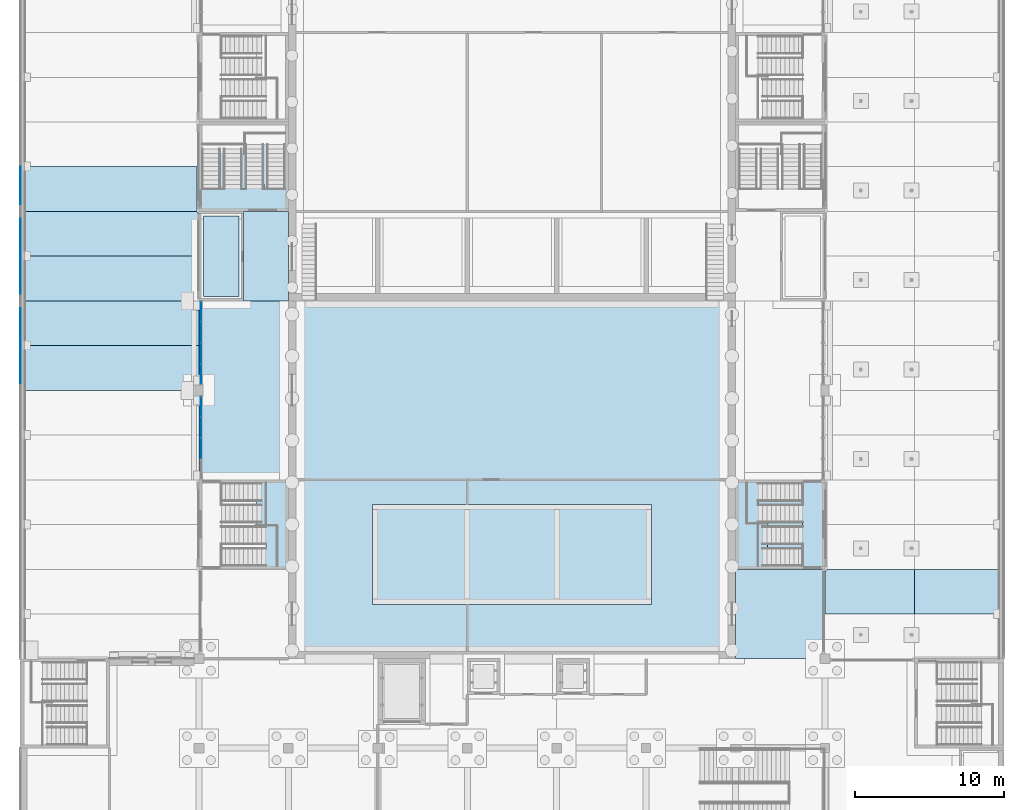
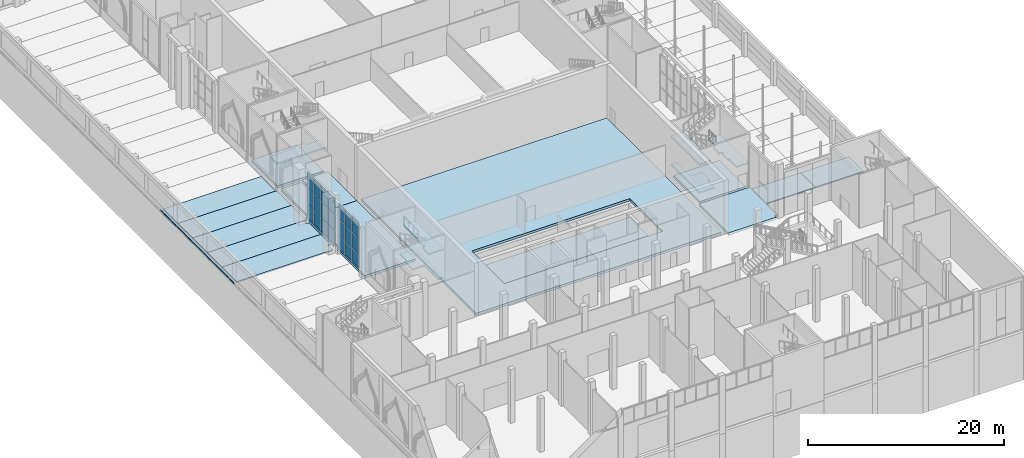
# One storey, part 30 of 95: 26 slabs, 21 plates, 5 elements without a shape of their own.
"""IFC4 building model written with IfcOpenShell, lengths in metres."""

from ifc_helpers import new_model, si_unit, direction, frame, origin, origin_2d, place, context, subcontext, project, spatial, polyline, rectangle, outline, extrude, material, layer, layer_set, type_object, element, aggregate, save


model = new_model("IFC4")

# Units and contexts
model_context = context("Model", 3, precision=1e-05, world=origin(), true_north=direction((0.0, 1.0)))
body_context = subcontext(model_context, "Body", "Model", "MODEL_VIEW")
ifc_project = project(units=[si_unit("LENGTHUNIT", "METRE"), si_unit("AREAUNIT", "SQUARE_METRE"), si_unit("VOLUMEUNIT", "CUBIC_METRE"), si_unit("PLANEANGLEUNIT", "RADIAN"), si_unit("MASSUNIT", "GRAM", prefix="KILO")], contexts=[model_context])

# Site, building, storey
site_placement = place(None, origin())
site = spatial("IfcSite", under=ifc_project, at=site_placement, CompositionType="ELEMENT")
building_placement = place(site_placement, origin())
building = spatial("IfcBuilding", under=site, at=building_placement, Name="Saffron Lane Theatres", CompositionType="ELEMENT")
storey_placement = place(building_placement, origin())
storey = spatial("IfcBuildingStorey", under=building, at=storey_placement, Name="L00", CompositionType="ELEMENT", Elevation=0.0)

# Curtain wall, plates
ifc_material_1 = material(Name="Aluminium", Category="aluminium")
curtain_wall_type = type_object("IfcCurtainWallType", Name="EX-CURTAIN WALL 5620x6050x200", PredefinedType="NOTDEFINED", material=ifc_material_1)
curtain_wall_1_placement = place(storey_placement, origin())
curtain_wall_1 = element("IfcCurtainWall", 1, at=curtain_wall_1_placement, inside=storey, type_object=curtain_wall_type, Name="Curtain wall L00 01", PredefinedType="NOTDEFINED")
ifc_material_2 = material(Name="Glass", Category="glass")
ifc_layer_1 = layer(ifc_material_2, 0.031982421875)
ifc_layer_set_1 = layer_set([ifc_layer_1], Name="Glass")
plate_type = type_object("IfcPlateType", Name="EX-CW PANEL GLAZING 32", PredefinedType="CURTAIN_PANEL", material=ifc_layer_set_1)
plate_1_placement = place(storey_placement, frame((12.14990234375, 44.109375, 0.06005859375), z_axis=(0.0, 0.0, 1.0), x_axis=(0.0, 1.0, 0.0)))
plate_1 = element("IfcPlate", 2, at=plate_1_placement, type_object=plate_type, Name="CW-00-01 panel 2.1", PredefinedType="CURTAIN_PANEL", context=body_context, shape_type="SweptSolid", body=[
    extrude(rectangle(XDim=1.34619140625, YDim=0.031982421875, at=origin_2d()), origin(), (0.0, 0.0, 1.0), 1.926513671875),
])
plate_2_placement = place(storey_placement, frame((12.14990234375, 44.109375, 2.04638671875), z_axis=(0.0, 0.0, 1.0), x_axis=(0.0, 1.0, 0.0)))
plate_2 = element("IfcPlate", 3, at=plate_2_placement, type_object=plate_type, Name="CW-00-01 panel 2.2", PredefinedType="CURTAIN_PANEL", context=body_context, shape_type="SweptSolid", body=[
    extrude(rectangle(XDim=1.34619140625, YDim=0.031982421875, at=origin_2d()), origin(), (0.0, 0.0, 1.0), 1.956787109375),
])
plate_3_placement = place(storey_placement, frame((12.14990234375, 44.109375, 4.0634765625), z_axis=(0.0, 0.0, 1.0), x_axis=(0.0, 1.0, 0.0)))
plate_3 = element("IfcPlate", 4, at=plate_3_placement, type_object=plate_type, Name="CW-00-01 panel 2.3", PredefinedType="CURTAIN_PANEL", context=body_context, shape_type="SweptSolid", body=[
    extrude(rectangle(XDim=1.34619140625, YDim=0.031982421875, at=origin_2d()), origin(), (0.0, 0.0, 1.0), 1.926513671875),
])
plate_4_placement = place(storey_placement, frame((12.14990234375, 45.515625, 0.06005859375), z_axis=(0.0, 0.0, 1.0), x_axis=(0.0, 1.0, 0.0)))
plate_4 = element("IfcPlate", 5, at=plate_4_placement, type_object=plate_type, Name="CW-00-01 panel 3.1", PredefinedType="CURTAIN_PANEL", context=body_context, shape_type="SweptSolid", body=[
    extrude(rectangle(XDim=1.34619140625, YDim=0.031982421875, at=origin_2d()), origin(), (0.0, 0.0, 1.0), 1.926513671875),
])
plate_5_placement = place(storey_placement, frame((12.14990234375, 45.515625, 2.04638671875), z_axis=(0.0, 0.0, 1.0), x_axis=(0.0, 1.0, 0.0)))
plate_5 = element("IfcPlate", 6, at=plate_5_placement, type_object=plate_type, Name="CW-00-01 panel 3.2", PredefinedType="CURTAIN_PANEL", context=body_context, shape_type="SweptSolid", body=[
    extrude(rectangle(XDim=1.34619140625, YDim=0.031982421875, at=origin_2d()), origin(), (0.0, 0.0, 1.0), 1.956787109375),
])
plate_6_placement = place(storey_placement, frame((12.14990234375, 45.515625, 4.0634765625), z_axis=(0.0, 0.0, 1.0), x_axis=(0.0, 1.0, 0.0)))
plate_6 = element("IfcPlate", 7, at=plate_6_placement, type_object=plate_type, Name="CW-00-01 panel 3.3", PredefinedType="CURTAIN_PANEL", context=body_context, shape_type="SweptSolid", body=[
    extrude(rectangle(XDim=1.34619140625, YDim=0.031982421875, at=origin_2d()), origin(), (0.0, 0.0, 1.0), 1.926513671875),
])
plate_7_placement = place(storey_placement, frame((12.14990234375, 46.906982421875, 0.06005859375), z_axis=(0.0, 0.0, 1.0), x_axis=(0.0, 1.0, 0.0)))
plate_7 = element("IfcPlate", 8, at=plate_7_placement, type_object=plate_type, Name="CW-00-01 panel 4.1", PredefinedType="CURTAIN_PANEL", context=body_context, shape_type="SweptSolid", body=[
    extrude(rectangle(XDim=1.316162109375, YDim=0.031982421875, at=origin_2d()), origin(), (0.0, 0.0, 1.0), 1.926513671875),
])
plate_8_placement = place(storey_placement, frame((12.14990234375, 46.906982421875, 2.04638671875), z_axis=(0.0, 0.0, 1.0), x_axis=(0.0, 1.0, 0.0)))
plate_8 = element("IfcPlate", 9, at=plate_8_placement, type_object=plate_type, Name="CW-00-01 panel 4.2", PredefinedType="CURTAIN_PANEL", context=body_context, shape_type="SweptSolid", body=[
    extrude(rectangle(XDim=1.316162109375, YDim=0.031982421875, at=origin_2d()), origin(), (0.0, 0.0, 1.0), 1.956787109375),
])
plate_9_placement = place(storey_placement, frame((12.14990234375, 46.906982421875, 4.0634765625), z_axis=(0.0, 0.0, 1.0), x_axis=(0.0, 1.0, 0.0)))
plate_9 = element("IfcPlate", 10, at=plate_9_placement, type_object=plate_type, Name="CW-00-01 panel 4.3", PredefinedType="CURTAIN_PANEL", context=body_context, shape_type="SweptSolid", body=[
    extrude(rectangle(XDim=1.316162109375, YDim=0.031982421875, at=origin_2d()), origin(), (0.0, 0.0, 1.0), 1.926513671875),
])
aggregate(curtain_wall_1, [plate_1, plate_2, plate_3, plate_4, plate_5, plate_6, plate_7, plate_8, plate_9])

curtain_wall_2_placement = place(storey_placement, origin())
curtain_wall_2 = element("IfcCurtainWall", 11, at=curtain_wall_2_placement, inside=storey, type_object=curtain_wall_type, Name="Curtain wall L00 02", PredefinedType="NOTDEFINED")
plate_10_placement = place(storey_placement, frame((12.14990234375, 49.093017578125, 0.06005859375), z_axis=(0.0, 0.0, 1.0), x_axis=(0.0, 1.0, 0.0)))
plate_10 = element("IfcPlate", 12, at=plate_10_placement, type_object=plate_type, Name="CW-00-02 panel 1.1", PredefinedType="CURTAIN_PANEL", context=body_context, shape_type="SweptSolid", body=[
    extrude(rectangle(XDim=1.316162109375, YDim=0.031982421875, at=origin_2d()), origin(), (0.0, 0.0, 1.0), 1.926513671875),
])
plate_11_placement = place(storey_placement, frame((12.14990234375, 49.093017578125, 2.04638671875), z_axis=(0.0, 0.0, 1.0), x_axis=(0.0, 1.0, 0.0)))
plate_11 = element("IfcPlate", 13, at=plate_11_placement, type_object=plate_type, Name="CW-00-02 panel 1.2", PredefinedType="CURTAIN_PANEL", context=body_context, shape_type="SweptSolid", body=[
    extrude(rectangle(XDim=1.316162109375, YDim=0.031982421875, at=origin_2d()), origin(), (0.0, 0.0, 1.0), 1.956787109375),
])
plate_12_placement = place(storey_placement, frame((12.14990234375, 49.093017578125, 4.0634765625), z_axis=(0.0, 0.0, 1.0), x_axis=(0.0, 1.0, 0.0)))
plate_12 = element("IfcPlate", 14, at=plate_12_placement, type_object=plate_type, Name="CW-00-02 panel 1.3", PredefinedType="CURTAIN_PANEL", context=body_context, shape_type="SweptSolid", body=[
    extrude(rectangle(XDim=1.316162109375, YDim=0.031982421875, at=origin_2d()), origin(), (0.0, 0.0, 1.0), 1.926513671875),
])
plate_13_placement = place(storey_placement, frame((12.14990234375, 50.484375, 0.06005859375), z_axis=(0.0, 0.0, 1.0), x_axis=(0.0, 1.0, 0.0)))
plate_13 = element("IfcPlate", 15, at=plate_13_placement, type_object=plate_type, Name="CW-00-02 panel 2.1", PredefinedType="CURTAIN_PANEL", context=body_context, shape_type="SweptSolid", body=[
    extrude(rectangle(XDim=1.34619140625, YDim=0.031982421875, at=origin_2d()), origin(), (0.0, 0.0, 1.0), 1.926513671875),
])
plate_14_placement = place(storey_placement, frame((12.14990234375, 50.484375, 2.04638671875), z_axis=(0.0, 0.0, 1.0), x_axis=(0.0, 1.0, 0.0)))
plate_14 = element("IfcPlate", 16, at=plate_14_placement, type_object=plate_type, Name="CW-00-02 panel 2.2", PredefinedType="CURTAIN_PANEL", context=body_context, shape_type="SweptSolid", body=[
    extrude(rectangle(XDim=1.34619140625, YDim=0.031982421875, at=origin_2d()), origin(), (0.0, 0.0, 1.0), 1.956787109375),
])
plate_15_placement = place(storey_placement, frame((12.14990234375, 50.484375, 4.0634765625), z_axis=(0.0, 0.0, 1.0), x_axis=(0.0, 1.0, 0.0)))
plate_15 = element("IfcPlate", 17, at=plate_15_placement, type_object=plate_type, Name="CW-00-02 panel 2.3", PredefinedType="CURTAIN_PANEL", context=body_context, shape_type="SweptSolid", body=[
    extrude(rectangle(XDim=1.34619140625, YDim=0.031982421875, at=origin_2d()), origin(), (0.0, 0.0, 1.0), 1.926513671875),
])
plate_16_placement = place(storey_placement, frame((12.14990234375, 51.890625, 0.06005859375), z_axis=(0.0, 0.0, 1.0), x_axis=(0.0, 1.0, 0.0)))
plate_16 = element("IfcPlate", 18, at=plate_16_placement, type_object=plate_type, Name="CW-00-02 panel 3.1", PredefinedType="CURTAIN_PANEL", context=body_context, shape_type="SweptSolid", body=[
    extrude(rectangle(XDim=1.34619140625, YDim=0.031982421875, at=origin_2d()), origin(), (0.0, 0.0, 1.0), 1.926513671875),
])
plate_17_placement = place(storey_placement, frame((12.14990234375, 51.890625, 2.04638671875), z_axis=(0.0, 0.0, 1.0), x_axis=(0.0, 1.0, 0.0)))
plate_17 = element("IfcPlate", 19, at=plate_17_placement, type_object=plate_type, Name="CW-00-02 panel 3.2", PredefinedType="CURTAIN_PANEL", context=body_context, shape_type="SweptSolid", body=[
    extrude(rectangle(XDim=1.34619140625, YDim=0.031982421875, at=origin_2d()), origin(), (0.0, 0.0, 1.0), 1.956787109375),
])
plate_18_placement = place(storey_placement, frame((12.14990234375, 51.890625, 4.0634765625), z_axis=(0.0, 0.0, 1.0), x_axis=(0.0, 1.0, 0.0)))
plate_18 = element("IfcPlate", 20, at=plate_18_placement, type_object=plate_type, Name="CW-00-02 panel 3.3", PredefinedType="CURTAIN_PANEL", context=body_context, shape_type="SweptSolid", body=[
    extrude(rectangle(XDim=1.34619140625, YDim=0.031982421875, at=origin_2d()), origin(), (0.0, 0.0, 1.0), 1.926513671875),
])
plate_19_placement = place(storey_placement, frame((12.14990234375, 53.281982421875, 0.06005859375), z_axis=(0.0, 0.0, 1.0), x_axis=(0.0, 1.0, 0.0)))
plate_19 = element("IfcPlate", 21, at=plate_19_placement, type_object=plate_type, Name="CW-00-02 panel 4.1", PredefinedType="CURTAIN_PANEL", context=body_context, shape_type="SweptSolid", body=[
    extrude(rectangle(XDim=1.316162109375, YDim=0.031982421875, at=origin_2d()), origin(), (0.0, 0.0, 1.0), 1.926513671875),
])
plate_20_placement = place(storey_placement, frame((12.14990234375, 53.281982421875, 2.04638671875), z_axis=(0.0, 0.0, 1.0), x_axis=(0.0, 1.0, 0.0)))
plate_20 = element("IfcPlate", 22, at=plate_20_placement, type_object=plate_type, Name="CW-00-02 panel 4.2", PredefinedType="CURTAIN_PANEL", context=body_context, shape_type="SweptSolid", body=[
    extrude(rectangle(XDim=1.316162109375, YDim=0.031982421875, at=origin_2d()), origin(), (0.0, 0.0, 1.0), 1.956787109375),
])
plate_21_placement = place(storey_placement, frame((12.14990234375, 53.281982421875, 4.0634765625), z_axis=(0.0, 0.0, 1.0), x_axis=(0.0, 1.0, 0.0)))
plate_21 = element("IfcPlate", 23, at=plate_21_placement, type_object=plate_type, Name="CW-00-02 panel 4.3", PredefinedType="CURTAIN_PANEL", context=body_context, shape_type="SweptSolid", body=[
    extrude(rectangle(XDim=1.316162109375, YDim=0.031982421875, at=origin_2d()), origin(), (0.0, 0.0, 1.0), 1.926513671875),
])
aggregate(curtain_wall_2, [plate_10, plate_11, plate_12, plate_13, plate_14, plate_15, plate_16, plate_17, plate_18, plate_19, plate_20, plate_21])

# Slabs
ifc_material_3 = material(Name="Masonry bluestone paving", Category="masonry")
ifc_layer_2 = layer(ifc_material_3, 0.1201171875)
ifc_layer_set_2 = layer_set([ifc_layer_2], Name="Masonry bluestone paving")
slab_type_1 = type_object("IfcSlabType", Name="EX-PAVING BLUESTONE 120", PredefinedType="USERDEFINED", material=ifc_layer_set_2)
slab_1_placement = place(storey_placement, frame((0.0, 0.0, -0.1201171875)))
element("IfcSlab", 24, at=slab_1_placement, inside=storey, type_object=slab_type_1, Name="Saffron Lane passage paving 2", ObjectType="PAVING", PredefinedType="USERDEFINED", context=body_context, shape_type="SweptSolid", body=[
    extrude(outline(polyline([(60.0, 33.0), (60.0, 36.0), (54.1201171875, 36.0), (54.119384765625, 35.98828125), (54.11767578125, 35.9765625), (54.11474609375, 35.965087890625), (54.11083984375, 35.9541015625), (54.105712890625, 35.943359375), (54.099853515625, 35.933349609375), (54.0927734375, 35.923828125), (54.0849609375, 35.9150390625), (54.076171875, 35.9072265625), (54.066650390625, 35.900146484375), (54.056640625, 35.894287109375), (54.0458984375, 35.88916015625), (54.034912109375, 35.88525390625), (54.0234375, 35.88232421875), (54.01171875, 35.880615234375), (54.00390625, 35.880126953125), (54.00390625, 33.0), (60.0, 33.0)])), origin(), (0.0, 0.0, 1.0), 0.1201171875),
])
ifc_material_4 = material(Name="Masonry bluestone paving", Category="masonry")
ifc_layer_3 = layer(ifc_material_4, 0.14990234375)
ifc_layer_set_3 = layer_set([ifc_layer_3], Name="Masonry bluestone paving")
slab_type_2 = type_object("IfcSlabType", Name="EX-PAVING BLUESTONE 150", PredefinedType="USERDEFINED", material=ifc_layer_set_3)
slab_2_placement = place(storey_placement, frame((0.0, 0.0, -0.14990234375)))
element("IfcSlab", 25, at=slab_2_placement, inside=storey, type_object=slab_type_2, Name="West court paving 15", ObjectType="PAVING", PredefinedType="USERDEFINED", context=body_context, shape_type="SweptSolid", body=[
    extrude(outline(polyline([(0.055908203125, 51.0), (0.055908203125, 54.0), (0.0, 54.0), (0.0, 51.0), (0.055908203125, 51.0)])), origin(), (0.0, 0.0, 1.0), 0.14990234375),
])
slab_3_placement = place(storey_placement, frame((0.0, 0.0, -0.14990234375)))
element("IfcSlab", 26, at=slab_3_placement, inside=storey, type_object=slab_type_2, Name="West court paving 16", ObjectType="PAVING", PredefinedType="USERDEFINED", context=body_context, shape_type="SweptSolid", body=[
    extrude(outline(polyline([(11.64599609375, 53.39990234375), (11.64599609375, 54.0), (0.31396484375, 54.0), (0.31396484375, 51.0), (11.99609375, 51.0), (11.99609375, 53.39599609375), (11.64990234375, 53.39599609375), (11.649658203125, 53.39599609375), (11.649169921875, 53.39599609375), (11.64892578125, 53.396240234375), (11.6484375, 53.396240234375), (11.648193359375, 53.396484375), (11.647705078125, 53.396728515625), (11.6474609375, 53.39697265625), (11.647216796875, 53.397216796875), (11.64697265625, 53.3974609375), (11.646728515625, 53.397705078125), (11.646484375, 53.398193359375), (11.646240234375, 53.3984375), (11.646240234375, 53.39892578125), (11.64599609375, 53.399169921875), (11.64599609375, 53.399658203125), (11.64599609375, 53.39990234375)])), origin(), (0.0, 0.0, 1.0), 0.14990234375),
])
slab_4_placement = place(storey_placement, frame((0.0, 0.0, -0.14990234375)))
element("IfcSlab", 27, at=slab_4_placement, inside=storey, type_object=slab_type_2, Name="West court paving 19", ObjectType="PAVING", PredefinedType="USERDEFINED", context=body_context, shape_type="SweptSolid", body=[
    extrude(outline(polyline([(0.055908203125, 57.0), (0.055908203125, 60.0), (0.0, 60.0), (0.0, 57.0), (0.055908203125, 57.0)])), origin(), (0.0, 0.0, 1.0), 0.14990234375),
])
slab_5_placement = place(storey_placement, frame((0.0, 0.0, -0.14990234375)))
element("IfcSlab", 28, at=slab_5_placement, inside=storey, type_object=slab_type_2, Name="West court paving 20", ObjectType="PAVING", PredefinedType="USERDEFINED", context=body_context, shape_type="SweptSolid", body=[
    extrude(outline(polyline([(11.880615234375, 59.98828125), (11.8798828125, 60.0), (0.31396484375, 60.0), (0.31396484375, 57.0), (11.99609375, 57.0), (11.99609375, 59.85009765625), (11.99609375, 59.85009765625), (11.99609375, 59.880126953125), (11.98828125, 59.880615234375), (11.9765625, 59.88232421875), (11.965087890625, 59.88525390625), (11.9541015625, 59.88916015625), (11.943359375, 59.894287109375), (11.933349609375, 59.900146484375), (11.923828125, 59.9072265625), (11.9150390625, 59.9150390625), (11.9072265625, 59.923828125), (11.900146484375, 59.933349609375), (11.894287109375, 59.943359375), (11.88916015625, 59.9541015625), (11.88525390625, 59.965087890625), (11.88232421875, 59.9765625), (11.880615234375, 59.98828125)])), origin(), (0.0, 0.0, 1.0), 0.14990234375),
])
slab_6_placement = place(storey_placement, frame((0.0, 0.0, -0.14990234375)))
element("IfcSlab", 29, at=slab_6_placement, inside=storey, type_object=slab_type_2, Name="East court paving 3", ObjectType="PAVING", PredefinedType="USERDEFINED", context=body_context, shape_type="SweptSolid", body=[
    extrude(outline(polyline([(60.0, 36.0), (60.0, 33.0), (65.68603515625, 33.0), (65.68603515625, 36.0), (60.0, 36.0)])), origin(), (0.0, 0.0, 1.0), 0.14990234375),
])
ifc_material_5 = material(Name="Masonry sandstone paving", Category="masonry")
ifc_layer_4 = layer(ifc_material_5, 0.14990234375)
ifc_layer_set_4 = layer_set([ifc_layer_4], Name="Masonry sandstone paving")
slab_type_3 = type_object("IfcSlabType", Name="EX-PAVING SANDSTONE 150", PredefinedType="USERDEFINED", material=ifc_layer_set_4)
slab_7_placement = place(storey_placement, frame((0.0, 0.0, -0.14990234375)))
element("IfcSlab", 30, at=slab_7_placement, inside=storey, type_object=slab_type_3, Name="West court paving 13", ObjectType="PAVING", PredefinedType="USERDEFINED", context=body_context, shape_type="SweptSolid", body=[
    extrude(outline(polyline([(0.055908203125, 48.0), (0.055908203125, 51.0), (0.0, 51.0), (0.0, 48.0), (0.055908203125, 48.0)])), origin(), (0.0, 0.0, 1.0), 0.14990234375),
])
slab_8_placement = place(storey_placement, frame((0.0, 0.0, -0.14990234375)))
element("IfcSlab", 31, at=slab_8_placement, inside=storey, type_object=slab_type_3, Name="West court paving 14", ObjectType="PAVING", PredefinedType="USERDEFINED", context=body_context, shape_type="SweptSolid", body=[
    extrude(outline(polyline([(11.99609375, 48.97900390625), (11.99609375, 51.0), (0.31396484375, 51.0), (0.31396484375, 48.0), (11.720947265625, 48.0), (11.720947265625, 48.37109375), (11.64990234375, 48.37109375), (11.649658203125, 48.37109375), (11.649169921875, 48.37109375), (11.64892578125, 48.37109375), (11.6484375, 48.371337890625), (11.648193359375, 48.37158203125), (11.647705078125, 48.37158203125), (11.6474609375, 48.371826171875), (11.647216796875, 48.3720703125), (11.64697265625, 48.37255859375), (11.646728515625, 48.372802734375), (11.646484375, 48.373046875), (11.646240234375, 48.37353515625), (11.646240234375, 48.373779296875), (11.64599609375, 48.374267578125), (11.64599609375, 48.37451171875), (11.64599609375, 48.375), (11.64599609375, 48.97509765625), (11.64599609375, 48.975341796875), (11.64599609375, 48.975830078125), (11.646240234375, 48.97607421875), (11.646240234375, 48.9765625), (11.646484375, 48.976806640625), (11.646728515625, 48.977294921875), (11.64697265625, 48.9775390625), (11.647216796875, 48.977783203125), (11.6474609375, 48.97802734375), (11.647705078125, 48.978271484375), (11.648193359375, 48.978515625), (11.6484375, 48.978759765625), (11.64892578125, 48.978759765625), (11.649169921875, 48.97900390625), (11.649658203125, 48.97900390625), (11.64990234375, 48.97900390625), (11.99609375, 48.97900390625)])), origin(), (0.0, 0.0, 1.0), 0.14990234375),
])
slab_9_placement = place(storey_placement, frame((0.0, 0.0, -0.14990234375)))
element("IfcSlab", 32, at=slab_9_placement, inside=storey, type_object=slab_type_3, Name="West court paving 17", ObjectType="PAVING", PredefinedType="USERDEFINED", context=body_context, shape_type="SweptSolid", body=[
    extrude(outline(polyline([(0.055908203125, 54.0), (0.055908203125, 57.0), (0.0, 57.0), (0.0, 54.0), (0.055908203125, 54.0)])), origin(), (0.0, 0.0, 1.0), 0.14990234375),
])
slab_10_placement = place(storey_placement, frame((0.0, 0.0, -0.14990234375)))
element("IfcSlab", 33, at=slab_10_placement, inside=storey, type_object=slab_type_3, Name="West court paving 18", ObjectType="PAVING", PredefinedType="USERDEFINED", context=body_context, shape_type="SweptSolid", body=[
    extrude(outline(polyline([(11.99609375, 54.14990234375), (11.99609375, 57.0), (0.31396484375, 57.0), (0.31396484375, 54.0), (11.64599609375, 54.0), (11.64599609375, 54.00048828125), (11.64599609375, 54.000732421875), (11.646240234375, 54.001220703125), (11.646240234375, 54.00146484375), (11.646484375, 54.001953125), (11.646728515625, 54.002197265625), (11.64697265625, 54.00244140625), (11.647216796875, 54.0029296875), (11.6474609375, 54.003173828125), (11.647705078125, 54.00341796875), (11.648193359375, 54.00341796875), (11.6484375, 54.003662109375), (11.64892578125, 54.00390625), (11.649169921875, 54.00390625), (11.649658203125, 54.00390625), (11.64990234375, 54.00390625), (11.99609375, 54.00390625), (11.99609375, 54.14990234375), (11.99609375, 54.14990234375)])), origin(), (0.0, 0.0, 1.0), 0.14990234375),
])
slab_11_placement = place(storey_placement, frame((0.0, 0.0, -0.14990234375)))
element("IfcSlab", 34, at=slab_11_placement, inside=storey, type_object=slab_type_3, Name="West court paving 21", ObjectType="PAVING", PredefinedType="USERDEFINED", context=body_context, shape_type="SweptSolid", body=[
    extrude(outline(polyline([(0.055908203125, 60.0), (0.055908203125, 63.0), (0.0, 63.0), (0.0, 60.0), (0.055908203125, 60.0)])), origin(), (0.0, 0.0, 1.0), 0.14990234375),
])
slab_12_placement = place(storey_placement, frame((0.0, 0.0, -0.14990234375)))
element("IfcSlab", 35, at=slab_12_placement, inside=storey, type_object=slab_type_3, Name="West court paving 22", ObjectType="PAVING", PredefinedType="USERDEFINED", context=body_context, shape_type="SweptSolid", body=[
    extrude(outline(polyline([(11.8798828125, 60.0), (11.8798828125, 63.0), (0.31396484375, 63.0), (0.31396484375, 60.0), (11.8798828125, 60.0)])), origin(), (0.0, 0.0, 1.0), 0.14990234375),
])
ifc_material_6 = material(Name="Concrete N40 (40 MPa)", Category="concrete")
ifc_layer_5 = layer(ifc_material_6, 0.300048828125)
ifc_layer_set_5 = layer_set([ifc_layer_5], Name="Concrete N40 (40 MPa)")
slab_type_4 = type_object("IfcSlabType", Name="RC-SLAB BASE 300", PredefinedType="BASESLAB", material=ifc_layer_set_5)
slab_13_placement = place(storey_placement, origin())
element("IfcSlab", 36, at=slab_13_placement, inside=storey, type_object=slab_type_4, Name="slab-L00-AUD-1", PredefinedType="BASESLAB", context=body_context, shape_type="SweptSolid", body=[
    extrude(outline(polyline([(15.0, 60.0), (15.0, 54.0), (18.0, 54.0), (18.0, 54.5), (18.0, 60.0), (15.0, 60.0)])), origin(), (0.0, 0.0, 1.0), 0.300048828125),
])
slab_14_placement = place(storey_placement, origin())
element("IfcSlab", 37, at=slab_14_placement, inside=storey, type_object=slab_type_4, Name="slab-L00-STAGE-2", PredefinedType="BASESLAB", context=body_context, shape_type="SweptSolid", body=[
    extrude(outline(polyline([(53.673095703125, 30.326904296875), (54.0, 30.326904296875), (54.0, 36.0), (48.0, 36.0), (48.0, 30.0), (53.673095703125, 30.0), (53.673095703125, 30.326904296875)])), origin(), (0.0, 0.0, 1.0), 0.300048828125),
])
slab_15_placement = place(storey_placement, origin())
element("IfcSlab", 38, at=slab_15_placement, inside=storey, type_object=slab_type_4, Name="slab-L00-STAGE-3", PredefinedType="BASESLAB", context=body_context, shape_type="SweptSolid", body=[
    extrude(outline(polyline([(47.5, 30.5), (47.5, 54.0), (18.5, 54.0), (18.5, 30.5), (47.5, 30.5)]), holes=[polyline([(23.64990234375, 40.0), (23.64990234375, 40.35009765625), (23.64990234375, 40.35009765625), (42.35009765625, 40.35009765625), (42.35009765625, 40.35009765625), (42.35009765625, 40.0), (42.35009765625, 34.0), (42.35009765625, 33.64990234375), (42.35009765625, 33.64990234375), (23.64990234375, 33.64990234375), (23.64990234375, 33.64990234375), (23.64990234375, 34.0), (23.64990234375, 40.0)])]), origin(), (0.0, 0.0, 1.0), 0.300048828125),
])
slab_16_placement = place(storey_placement, origin())
element("IfcSlab", 39, at=slab_16_placement, inside=storey, type_object=slab_type_4, Name="slab-L00-STAGE-4", PredefinedType="BASESLAB", context=body_context, shape_type="SweptSolid", body=[
    extrude(outline(polyline([(18.0, 42.0), (18.0, 54.0), (15.0, 54.0), (12.0, 54.0), (12.0, 48.376953125), (12.277099609375, 48.376953125), (12.277099609375, 47.623046875), (12.0, 47.623046875), (12.0, 42.0), (18.0, 42.0)])), origin(), (0.0, 0.0, 1.0), 0.300048828125),
])
slab_17_placement = place(storey_placement, origin())
element("IfcSlab", 40, at=slab_17_placement, inside=storey, type_object=slab_type_4, Name="slab-L00-core-ST10", PredefinedType="BASESLAB", context=body_context, shape_type="SweptSolid", body=[
    extrude(outline(polyline([(12.300048828125, 60.300048828125), (17.699951171875, 60.300048828125), (17.699951171875, 65.699951171875), (12.300048828125, 65.699951171875), (12.300048828125, 60.300048828125)])), origin(), (0.0, 0.0, 1.0), 0.300048828125),
])
slab_18_placement = place(storey_placement, origin())
element("IfcSlab", 41, at=slab_18_placement, inside=storey, type_object=slab_type_4, Name="slab-L00-core-ST6", PredefinedType="BASESLAB", context=body_context, shape_type="SweptSolid", body=[
    extrude(outline(polyline([(48.300048828125, 36.300048828125), (53.699951171875, 36.300048828125), (53.699951171875, 41.699951171875), (48.300048828125, 41.699951171875), (48.300048828125, 36.300048828125)])), origin(), (0.0, 0.0, 1.0), 0.300048828125),
])
slab_19_placement = place(storey_placement, origin())
element("IfcSlab", 42, at=slab_19_placement, inside=storey, type_object=slab_type_4, Name="slab-L00-core-R3", PredefinedType="BASESLAB", context=body_context, shape_type="SweptSolid", body=[
    extrude(outline(polyline([(12.300048828125, 54.300048828125), (14.699951171875, 54.300048828125), (14.699951171875, 59.699951171875), (12.300048828125, 59.699951171875), (12.300048828125, 54.300048828125)])), origin(), (0.0, 0.0, 1.0), 0.300048828125),
])
ifc_material_7 = material(Name="Concrete N40 (40 MPa)", Category="concrete")
ifc_layer_6 = layer(ifc_material_7, 0.449951171875)
ifc_layer_set_6 = layer_set([ifc_layer_6], Name="Concrete N40 (40 MPa)")
slab_type_5 = type_object("IfcSlabType", Name="RC-SLAB STAGE LIFT PIT 450", PredefinedType="BASESLAB", material=ifc_layer_set_6)
slab_20_placement = place(storey_placement, frame((0.0, 0.0, -2.449951171875)))
element("IfcSlab", 43, at=slab_20_placement, inside=storey, type_object=slab_type_5, Name="slab-L00-stage-lift-pit", PredefinedType="BASESLAB", context=body_context, shape_type="SweptSolid", body=[
    extrude(outline(polyline([(23.64990234375, 33.64990234375), (42.35009765625, 33.64990234375), (42.35009765625, 40.35009765625), (23.64990234375, 40.35009765625), (23.64990234375, 33.64990234375)])), origin(), (0.0, 0.0, 1.0), 0.449951171875),
])

# Stair, slab
ifc_material_8 = material(Name="Concrete N40 (40 MPa)", Category="concrete")
stair_type = type_object("IfcStairType", Name="VC-STAIR EXIT", PredefinedType="TWO_STRAIGHT_RUN_STAIR", material=ifc_material_8)
stair_1_placement = place(storey_placement, origin())
stair_1 = element("IfcStair", 44, at=stair_1_placement, inside=storey, type_object=stair_type, Name="Auditorium West Front Stair L00 to L01", PredefinedType="TWO_STRAIGHT_RUN_STAIR")
ifc_material_9 = material(Name="Concrete N40 (40 MPa)", Category="concrete")
ifc_layer_7 = layer(ifc_material_9, 0.199951171875)
ifc_layer_set_7 = layer_set([ifc_layer_7], Name="Concrete N40 (40 MPa)")
slab_type_6 = type_object("IfcSlabType", Name="VC-LANDING 200", PredefinedType="LANDING", material=ifc_layer_set_7)
slab_21_placement = place(storey_placement, frame((0.0, 0.0, 3.13330078125)))
slab_21 = element("IfcSlab", 45, at=slab_21_placement, type_object=slab_type_6, Name="ST13 landing 2", PredefinedType="LANDING", context=body_context, shape_type="SweptSolid", body=[
    extrude(outline(polyline([(17.89990234375, 61.5), (17.89990234375, 60.10009765625), (12.10009765625, 60.10009765625), (12.10009765625, 61.5), (13.64990234375, 61.5), (13.64990234375, 61.60009765625), (14.89990234375, 61.60009765625), (14.89990234375, 61.5), (15.10009765625, 61.5), (15.10009765625, 61.85009765625), (16.35009765625, 61.85009765625), (16.35009765625, 61.5), (17.89990234375, 61.5)])), origin(), (0.0, 0.0, 1.0), 0.199951171875),
])
aggregate(stair_1, [slab_21])

# Stair, slabs
stair_2_placement = place(storey_placement, origin())
stair_2 = element("IfcStair", 46, at=stair_2_placement, inside=storey, type_object=stair_type, Name="Stage West Stair L00 to L01", PredefinedType="TWO_STRAIGHT_RUN_STAIR")
slab_22_placement = place(storey_placement, frame((0.0, 0.0, 1.466552734375)))
slab_22 = element("IfcSlab", 47, at=slab_22_placement, type_object=slab_type_6, Name="ST19 landing 1", PredefinedType="LANDING", context=body_context, shape_type="SweptSolid", body=[
    extrude(outline(polyline([(15.85009765625, 38.89990234375), (15.85009765625, 40.550048828125), (16.10009765625, 40.550048828125), (16.10009765625, 41.89990234375), (17.89990234375, 41.89990234375), (17.89990234375, 36.10009765625), (17.25, 36.10009765625), (17.25, 38.89990234375), (15.85009765625, 38.89990234375)])), origin(), (0.0, 0.0, 1.0), 0.2001953125),
])
slab_23_placement = place(storey_placement, frame((0.0, 0.0, 4.966552734375)))
slab_23 = element("IfcSlab", 48, at=slab_23_placement, type_object=slab_type_6, Name="ST19 landing 3", PredefinedType="LANDING", context=body_context, shape_type="SweptSolid", body=[
    extrude(outline(polyline([(16.5, 37.449951171875), (16.5, 37.64990234375), (16.39990234375, 37.64990234375), (16.39990234375, 38.89990234375), (16.5, 38.89990234375), (16.5, 41.89990234375), (17.89990234375, 41.89990234375), (17.89990234375, 36.10009765625), (16.14990234375, 36.10009765625), (16.14990234375, 37.449951171875), (16.5, 37.449951171875)])), origin(), (0.0, 0.0, 1.0), 0.2001953125),
])
aggregate(stair_2, [slab_22, slab_23])

stair_3_placement = place(storey_placement, origin())
stair_3 = element("IfcStair", 49, at=stair_3_placement, inside=storey, type_object=stair_type, Name="Stage East Stair L00 to L01", PredefinedType="TWO_STRAIGHT_RUN_STAIR")
slab_24_placement = place(storey_placement, frame((0.0, 0.0, 1.466552734375)))
slab_24 = element("IfcSlab", 50, at=slab_24_placement, type_object=slab_type_6, Name="ST22 landing 1", PredefinedType="LANDING", context=body_context, shape_type="SweptSolid", body=[
    extrude(outline(polyline([(50.14990234375, 39.10009765625), (50.14990234375, 37.449951171875), (49.89990234375, 37.449951171875), (49.89990234375, 36.10009765625), (48.10009765625, 36.10009765625), (48.10009765625, 41.89990234375), (48.75, 41.89990234375), (48.75, 39.10009765625), (50.14990234375, 39.10009765625)])), origin(), (0.0, 0.0, 1.0), 0.2001953125),
])
slab_25_placement = place(storey_placement, frame((0.0, 0.0, 3.13330078125)))
slab_25 = element("IfcSlab", 51, at=slab_25_placement, type_object=slab_type_6, Name="ST22 landing 2", PredefinedType="LANDING", context=body_context, shape_type="SweptSolid", body=[
    extrude(outline(polyline([(52.5, 41.89990234375), (53.89990234375, 41.89990234375), (53.89990234375, 36.10009765625), (52.5, 36.10009765625), (52.5, 37.64990234375), (52.39990234375, 37.64990234375), (52.39990234375, 38.89990234375), (52.5, 38.89990234375), (52.5, 39.10009765625), (52.14990234375, 39.10009765625), (52.14990234375, 40.35009765625), (52.5, 40.35009765625), (52.5, 41.89990234375)])), origin(), (0.0, 0.0, 1.0), 0.199951171875),
])
slab_26_placement = place(storey_placement, frame((0.0, 0.0, 4.966552734375)))
slab_26 = element("IfcSlab", 52, at=slab_26_placement, type_object=slab_type_6, Name="ST22 landing 3", PredefinedType="LANDING", context=body_context, shape_type="SweptSolid", body=[
    extrude(outline(polyline([(49.5, 40.550048828125), (49.5, 40.35009765625), (49.60009765625, 40.35009765625), (49.60009765625, 39.10009765625), (49.5, 39.10009765625), (49.5, 36.10009765625), (48.10009765625, 36.10009765625), (48.10009765625, 41.89990234375), (49.85009765625, 41.89990234375), (49.85009765625, 40.550048828125), (49.5, 40.550048828125)])), origin(), (0.0, 0.0, 1.0), 0.2001953125),
])
aggregate(stair_3, [slab_24, slab_25, slab_26])

save(model, "model.ifc")
